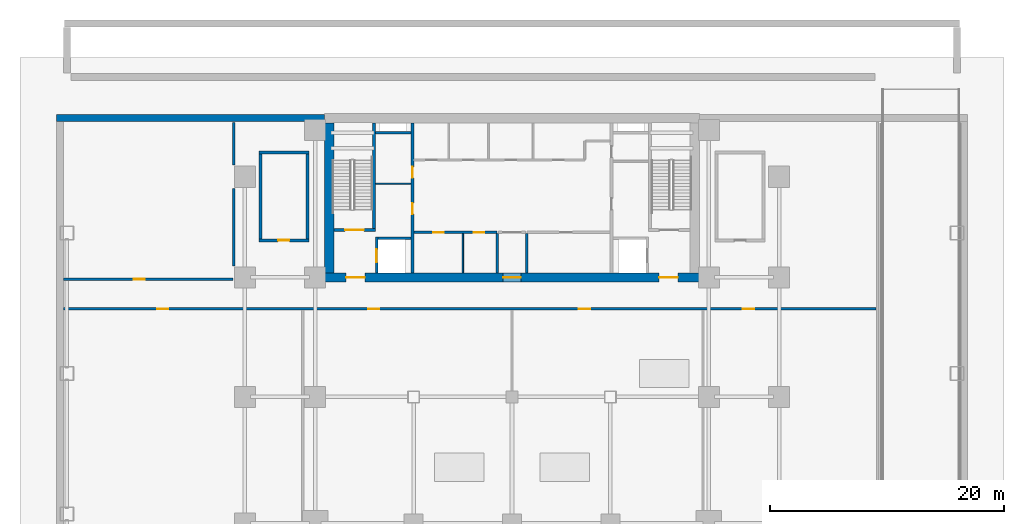
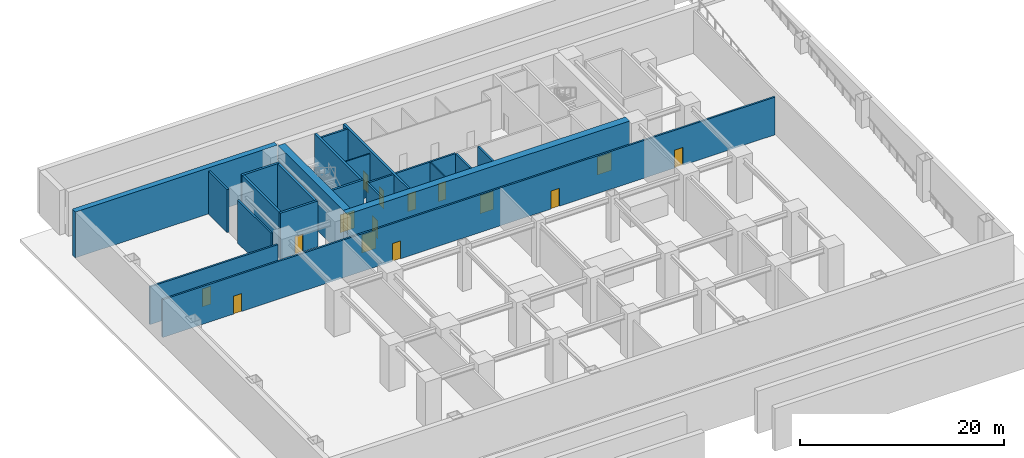
# One storey, part 3 of 8: 22 walls, 15 doors, 15 openings.
"""IFC4 building model written with IfcOpenShell, lengths in metres."""

from ifc_helpers import new_model, si_unit, direction, frame, frame_2d, origin, place, context, subcontext, project, spatial, rectangle, extrude, source, transform, mapped, material, layer, layer_set, type_object, element, fill, save


model = new_model("IFC4")

# Units and contexts
model_context = context("Model", 3, precision=1e-05, world=origin(), true_north=direction((0.0, 1.0)))
body_context = subcontext(model_context, "Body", "Model", "MODEL_VIEW")
ifc_project = project(units=[si_unit("LENGTHUNIT", "METRE"), si_unit("AREAUNIT", "SQUARE_METRE"), si_unit("VOLUMEUNIT", "CUBIC_METRE"), si_unit("PLANEANGLEUNIT", "RADIAN"), si_unit("MASSUNIT", "GRAM", prefix="KILO")], contexts=[model_context])

# Site, building, storey
site_placement = place(None, origin())
site = spatial("IfcSite", under=ifc_project, at=site_placement, CompositionType="ELEMENT")
building_placement = place(site_placement, origin())
building = spatial("IfcBuilding", under=site, at=building_placement, Name="Sumidabori Civic Tower", CompositionType="ELEMENT")
storey_placement = place(building_placement, frame((0.0, 0.0, -5.5)))
storey = spatial("IfcBuildingStorey", under=building, at=storey_placement, Name="B1", CompositionType="ELEMENT", Elevation=-5.5)

# Wall
ifc_material_1 = material(Name="Concrete C50/60", Category="concrete")
ifc_layer_1 = layer(ifc_material_1, 0.60009765625, Name="Concrete C50/60")
ifc_layer_set_1 = layer_set([ifc_layer_1], Name="Concrete C50/60")
wall_type_1 = type_object("IfcWallType", Name="WL-RET-600", PredefinedType="SHEAR", material=ifc_layer_set_1)
shared_shape_1 = source(origin(), body_context, "Body", "SweptSolid", [
    extrude(rectangle(XDim=22.89990234375, YDim=0.60009765625, at=frame_2d((11.449951171875, 0.0))), origin(), (0.0, 0.0, 1.0), 5.5),
])
wall_1_placement = place(storey_placement, frame((-38.89990234375, 23.800048828125, 0.0), z_axis=(0.0, 0.0, 1.0), x_axis=(1.0, 0.0, 0.0)))
element("IfcWall", 1, at=wall_1_placement, inside=storey, type_object=wall_type_1, Name="Basement Retaining Wall B1 NW", PredefinedType="SHEAR", context=body_context, shape_type="MappedRepresentation", body=[
    mapped(shared_shape_1, transform((0.0, 0.0, 0.0), x_axis=(1.0, 0.0, 0.0), y_axis=(0.0, 1.0, 0.0), z_axis=(0.0, 0.0, 1.0), scale=1.0)),
])

# Wall, openings, doors
ifc_material_2 = material(Name="Concrete C60/75", Category="concrete")
ifc_layer_2 = layer(ifc_material_2, 0.800048828125, Name="Concrete C60/75")
ifc_layer_set_2 = layer_set([ifc_layer_2], Name="Concrete C60/75")
wall_type_2 = type_object("IfcWallType", Name="WL-CORE-800", PredefinedType="SHEAR", material=ifc_layer_set_2)
shared_shape_2 = source(origin(), body_context, "Body", "SweptSolid", [
    extrude(rectangle(XDim=32.0, YDim=0.800048828125, at=frame_2d((16.0, 0.0))), origin(), (0.0, 0.0, 1.0), 5.5),
])
wall_2_placement = place(storey_placement, frame((-16.0, 10.199951171875, 0.0), z_axis=(0.0, 0.0, 1.0), x_axis=(1.0, 0.0, 0.0)))
wall_2 = element("IfcWall", 2, at=wall_2_placement, inside=storey, type_object=wall_type_2, Name="Core Shear Wall B1 S", PredefinedType="SHEAR", context=body_context, shape_type="MappedRepresentation", body=[
    mapped(shared_shape_2, transform((0.0, 0.0, 0.0), x_axis=(1.0, 0.0, 0.0), y_axis=(0.0, 1.0, 0.0), z_axis=(0.0, 0.0, 1.0), scale=1.0)),
])
opening_1_placement = place(wall_2_placement, frame((1.85009765625, 0.0, 0.0)))
opening_1 = element("IfcOpeningElement", 3, at=opening_1_placement, cuts=wall_2, Name="Opening DR-FD4", PredefinedType="OPENING", context=body_context, shape_type="SweptSolid", body=[
    extrude(rectangle(XDim=1.60009765625, YDim=2.14990234375, at=frame_2d((0.800048828125, 1.074951171875))), frame((0.0, 0.412109375, 0.0), z_axis=(0.0, -1.0, 0.0), x_axis=(1.0, 0.0, 0.0)), (0.0, 0.0, 1.0), 0.823974609375),
])
opening_2_placement = place(wall_2_placement, frame((28.550048828125, 0.0, 0.0)))
opening_2 = element("IfcOpeningElement", 4, at=opening_2_placement, cuts=wall_2, Name="Opening DR-FD4", PredefinedType="OPENING", context=body_context, shape_type="SweptSolid", body=[
    extrude(rectangle(XDim=1.60009765625, YDim=2.14990234375, at=frame_2d((0.800048828125, 1.074951171875))), frame((0.0, 0.412109375, 0.0), z_axis=(0.0, -1.0, 0.0), x_axis=(1.0, 0.0, 0.0)), (0.0, 0.0, 1.0), 0.823974609375),
])
opening_3_placement = place(wall_2_placement, frame((15.25, 0.0, 0.0)))
opening_3 = element("IfcOpeningElement", 5, at=opening_3_placement, cuts=wall_2, Name="Opening DR-FD3", PredefinedType="OPENING", context=body_context, shape_type="SweptSolid", body=[
    extrude(rectangle(XDim=1.5, YDim=2.199951171875, at=frame_2d((0.75, 1.10009765625))), frame((0.0, 0.412109375, 0.0), z_axis=(0.0, -1.0, 0.0), x_axis=(1.0, 0.0, 0.0)), (0.0, 0.0, 1.0), 0.823974609375),
])
ifc_material_3 = material(Name="Steel SN490", Category="steel")
door_type_1 = type_object("IfcDoorType", Name="DR-FD4", OperationType="DOUBLE_DOOR_SINGLE_SWING", PredefinedType="DOOR", material=ifc_material_3)
shared_shape_3 = source(origin(), body_context, "Body", "SweptSolid", [
    extrude(rectangle(XDim=1.60009765625, YDim=2.14990234375, at=frame_2d((0.800048828125, 1.074951171875))), frame((0.0, 0.02490234375, 0.0), z_axis=(0.0, -1.0, 0.0), x_axis=(1.0, 0.0, 0.0)), (0.0, 0.0, 1.0), 0.050048828125),
])
door_1_placement = place(opening_1_placement, origin())
door_1 = element("IfcDoor", 6, at=door_1_placement, inside=storey, type_object=door_type_1, Name="Door DR:B1:ELOB-W", OperationType="DOUBLE_DOOR_SINGLE_SWING", OverallHeight=2.14990234375, OverallWidth=1.60009765625, PredefinedType="DOOR", context=body_context, shape_type="MappedRepresentation", body=[
    mapped(shared_shape_3, transform((0.0, 0.0, 0.0), x_axis=(1.0, 0.0, 0.0), y_axis=(0.0, 1.0, 0.0), z_axis=(0.0, 0.0, 1.0), scale=1.0)),
])
fill(opening_1, door_1)
door_2_placement = place(opening_2_placement, origin())
door_2 = element("IfcDoor", 7, at=door_2_placement, inside=storey, type_object=door_type_1, Name="Door DR:B1:ELOB-E", OperationType="DOUBLE_DOOR_SINGLE_SWING", OverallHeight=2.14990234375, OverallWidth=1.60009765625, PredefinedType="DOOR", context=body_context, shape_type="MappedRepresentation", body=[
    mapped(shared_shape_3, transform((0.0, 0.0, 0.0), x_axis=(1.0, 0.0, 0.0), y_axis=(0.0, 1.0, 0.0), z_axis=(0.0, 0.0, 1.0), scale=1.0)),
])
fill(opening_2, door_2)
door_type_2 = type_object("IfcDoorType", Name="DR-FD-DBL", OperationType="DOUBLE_DOOR_SINGLE_SWING", PredefinedType="DOOR", material=ifc_material_3)
shared_shape_4 = source(origin(), body_context, "Body", "SweptSolid", [
    extrude(rectangle(XDim=1.5, YDim=2.199951171875, at=frame_2d((0.75, 1.10009765625))), frame((0.0, 0.02490234375, 0.0), z_axis=(0.0, -1.0, 0.0), x_axis=(1.0, 0.0, 0.0)), (0.0, 0.0, 1.0), 0.050048828125),
])
door_3_placement = place(opening_3_placement, origin())
door_3 = element("IfcDoor", 8, at=door_3_placement, inside=storey, type_object=door_type_2, Name="Door DR:B1:THROAT-OUT", OperationType="DOUBLE_DOOR_SINGLE_SWING", OverallHeight=2.199951171875, OverallWidth=1.5, PredefinedType="DOOR", context=body_context, shape_type="MappedRepresentation", body=[
    mapped(shared_shape_4, transform((0.0, 0.0, 0.0), x_axis=(1.0, 0.0, 0.0), y_axis=(0.0, 1.0, 0.0), z_axis=(0.0, 0.0, 1.0), scale=1.0)),
])
fill(opening_3, door_3)

# Wall
shared_shape_5 = source(origin(), body_context, "Body", "SweptSolid", [
    extrude(rectangle(XDim=12.7998046875, YDim=0.800048828125, at=frame_2d((6.39990234375, 0.0))), origin(), (0.0, 0.0, 1.0), 5.5),
])
wall_3_placement = place(storey_placement, frame((-15.60009765625, 10.60009765625, 0.0), z_axis=(0.0, 0.0, 1.0), x_axis=(0.0, 1.0, 0.0)))
element("IfcWall", 9, at=wall_3_placement, inside=storey, type_object=wall_type_2, Name="Core Shear Wall B1 W", PredefinedType="SHEAR", context=body_context, shape_type="MappedRepresentation", body=[
    mapped(shared_shape_5, transform((0.0, 0.0, 0.0), x_axis=(1.0, 0.0, 0.0), y_axis=(0.0, 1.0, 0.0), z_axis=(0.0, 0.0, 1.0), scale=1.0)),
])

# Wall, openings, doors
ifc_layer_3 = layer(ifc_material_1, 0.25, Name="Concrete C50/60")
ifc_layer_set_3 = layer_set([ifc_layer_3], Name="Concrete C50/60")
wall_type_3 = type_object("IfcWallType", Name="WL-SHAFT-250", PredefinedType="SHEAR", material=ifc_layer_set_3)
shared_shape_6 = source(origin(), body_context, "Body", "SweptSolid", [
    extrude(rectangle(XDim=12.7998046875, YDim=0.25, at=frame_2d((6.39990234375, 0.0))), origin(), (0.0, 0.0, 1.0), 5.5),
])
wall_4_placement = place(storey_placement, frame((-8.5, 10.60009765625, 0.0), z_axis=(0.0, 0.0, 1.0), x_axis=(0.0, 1.0, 0.0)))
wall_4 = element("IfcWall", 10, at=wall_4_placement, inside=storey, type_object=wall_type_3, Name="Core Shear Wall B1 WEB-W", PredefinedType="SHEAR", context=body_context, shape_type="MappedRepresentation", body=[
    mapped(shared_shape_6, transform((0.0, 0.0, 0.0), x_axis=(1.0, 0.0, 0.0), y_axis=(0.0, 1.0, 0.0), z_axis=(0.0, 0.0, 1.0), scale=1.0)),
])
opening_4_placement = place(wall_4_placement, frame((5.0, 0.0, 0.0)))
opening_4 = element("IfcOpeningElement", 11, at=opening_4_placement, cuts=wall_4, Name="Opening DR-FD2", PredefinedType="OPENING", context=body_context, shape_type="SweptSolid", body=[
    extrude(rectangle(XDim=0.949951171875, YDim=2.14990234375, at=frame_2d((0.47509765625, 1.074951171875))), frame((0.0, 0.136962890625, 0.0), z_axis=(0.0, -1.0, 0.0), x_axis=(1.0, 0.0, 0.0)), (0.0, 0.0, 1.0), 0.27392578125),
])
opening_5_placement = place(wall_4_placement, frame((8.10009765625, 0.0, 0.0)))
opening_5 = element("IfcOpeningElement", 12, at=opening_5_placement, cuts=wall_4, Name="Opening DR-FD2", PredefinedType="OPENING", context=body_context, shape_type="SweptSolid", body=[
    extrude(rectangle(XDim=0.949951171875, YDim=2.14990234375, at=frame_2d((0.47509765625, 1.074951171875))), frame((0.0, 0.136962890625, 0.0), z_axis=(0.0, -1.0, 0.0), x_axis=(1.0, 0.0, 0.0)), (0.0, 0.0, 1.0), 0.27392578125),
])
door_type_3 = type_object("IfcDoorType", Name="DR-FD2", OperationType="NOTDEFINED", PredefinedType="DOOR", material=ifc_material_3)
shared_shape_7 = source(origin(), body_context, "Body", "SweptSolid", [
    extrude(rectangle(XDim=0.949951171875, YDim=2.14990234375, at=frame_2d((0.47509765625, 1.074951171875))), frame((0.0, 0.02490234375, 0.0), z_axis=(0.0, -1.0, 0.0), x_axis=(1.0, 0.0, 0.0)), (0.0, 0.0, 1.0), 0.050048828125),
])
door_4_placement = place(opening_4_placement, origin())
door_4 = element("IfcDoor", 13, at=door_4_placement, inside=storey, type_object=door_type_3, Name="Door DR:B1:CW-S1", OperationType="SINGLE_SWING_LEFT", OverallHeight=2.14990234375, OverallWidth=0.949951171875, PredefinedType="DOOR", context=body_context, shape_type="MappedRepresentation", body=[
    mapped(shared_shape_7, transform((0.0, 0.0, 0.0), x_axis=(1.0, 0.0, 0.0), y_axis=(0.0, 1.0, 0.0), z_axis=(0.0, 0.0, 1.0), scale=1.0)),
])
fill(opening_4, door_4)
door_5_placement = place(opening_5_placement, origin())
door_5 = element("IfcDoor", 14, at=door_5_placement, inside=storey, type_object=door_type_3, Name="Door DR:B1:CW-S2", OperationType="SINGLE_SWING_RIGHT", OverallHeight=2.14990234375, OverallWidth=0.949951171875, PredefinedType="DOOR", context=body_context, shape_type="MappedRepresentation", body=[
    mapped(shared_shape_7, transform((0.0, 0.0, 0.0), x_axis=(1.0, 0.0, 0.0), y_axis=(0.0, 1.0, 0.0), z_axis=(0.0, 0.0, 1.0), scale=1.0)),
])
fill(opening_5, door_5)

# Wall, opening, door
shared_shape_8 = source(origin(), body_context, "Body", "SweptSolid", [
    extrude(rectangle(XDim=3.554931640625, YDim=0.25, at=frame_2d((1.77734375, 0.0))), origin(), (0.0, 0.0, 1.0), 5.5),
])
wall_5_placement = place(storey_placement, frame((-15.199951171875, 14.25, 0.0), z_axis=(0.0, 0.0, 1.0), x_axis=(1.0, 0.0, 0.0)))
wall_5 = element("IfcWall", 15, at=wall_5_placement, inside=storey, type_object=wall_type_3, Name="Core Shear Wall B1 ST1-S", PredefinedType="SHEAR", context=body_context, shape_type="MappedRepresentation", body=[
    mapped(shared_shape_8, transform((0.0, 0.0, 0.0), x_axis=(1.0, 0.0, 0.0), y_axis=(0.0, 1.0, 0.0), z_axis=(0.0, 0.0, 1.0), scale=1.0)),
])
opening_6_placement = place(wall_5_placement, frame((0.949951171875, 0.0, 0.0)))
opening_6 = element("IfcOpeningElement", 16, at=opening_6_placement, cuts=wall_5, Name="Opening DR-FD4", PredefinedType="OPENING", context=body_context, shape_type="SweptSolid", body=[
    extrude(rectangle(XDim=1.60009765625, YDim=2.14990234375, at=frame_2d((0.800048828125, 1.074951171875))), frame((0.0, 0.136962890625, 0.0), z_axis=(0.0, -1.0, 0.0), x_axis=(1.0, 0.0, 0.0)), (0.0, 0.0, 1.0), 0.27392578125),
])
door_6_placement = place(opening_6_placement, origin())
door_6 = element("IfcDoor", 17, at=door_6_placement, inside=storey, type_object=door_type_1, Name="Door DR:B1:ST1", OperationType="DOUBLE_DOOR_SINGLE_SWING", OverallHeight=2.14990234375, OverallWidth=1.60009765625, PredefinedType="DOOR", context=body_context, shape_type="MappedRepresentation", body=[
    mapped(shared_shape_3, transform((0.0, 0.0, 0.0), x_axis=(1.0, 0.0, 0.0), y_axis=(0.0, 1.0, 0.0), z_axis=(0.0, 0.0, 1.0), scale=1.0)),
])
fill(opening_6, door_6)

# Wall
shared_shape_9 = source(origin(), body_context, "Body", "SweptSolid", [
    extrude(rectangle(XDim=9.02490234375, YDim=0.25, at=frame_2d((4.512451171875, 0.0))), origin(), (0.0, 0.0, 1.0), 5.5),
])
wall_6_placement = place(storey_placement, frame((-11.77001953125, 14.375, 0.0), z_axis=(0.0, 0.0, 1.0), x_axis=(0.0, 1.0, 0.0)))
element("IfcWall", 18, at=wall_6_placement, inside=storey, type_object=wall_type_3, Name="Core Shear Wall B1 ST1-E", PredefinedType="SHEAR", context=body_context, shape_type="MappedRepresentation", body=[
    mapped(shared_shape_9, transform((0.0, 0.0, 0.0), x_axis=(1.0, 0.0, 0.0), y_axis=(0.0, 1.0, 0.0), z_axis=(0.0, 0.0, 1.0), scale=1.0)),
])

# Wall, opening, door
ifc_layer_4 = layer(ifc_material_1, 0.199951171875, Name="Concrete C50/60")
ifc_layer_set_4 = layer_set([ifc_layer_4], Name="Concrete C50/60")
wall_type_4 = type_object("IfcWallType", Name="WL-SHAFT-200", PredefinedType="SHEAR", material=ifc_layer_set_4)
shared_shape_10 = source(origin(), body_context, "Body", "SweptSolid", [
    extrude(rectangle(XDim=3.0498046875, YDim=0.199951171875, at=frame_2d((1.52490234375, 0.0))), origin(), (0.0, 0.0, 1.0), 5.5),
])
wall_7_placement = place(storey_placement, frame((-11.550048828125, 10.60009765625, 0.0), z_axis=(0.0, 0.0, 1.0), x_axis=(0.0, 1.0, 0.0)))
wall_7 = element("IfcWall", 19, at=wall_7_placement, inside=storey, type_object=wall_type_4, Name="Core Shear Wall B1 EL1-W", PredefinedType="SHEAR", context=body_context, shape_type="MappedRepresentation", body=[
    mapped(shared_shape_10, transform((0.0, 0.0, 0.0), x_axis=(1.0, 0.0, 0.0), y_axis=(0.0, 1.0, 0.0), z_axis=(0.0, 0.0, 1.0), scale=1.0)),
])
opening_7_placement = place(wall_7_placement, frame((0.89990234375, 0.0, 0.0)))
opening_7 = element("IfcOpeningElement", 20, at=opening_7_placement, cuts=wall_7, Name="Opening LD-2", PredefinedType="OPENING", context=body_context, shape_type="SweptSolid", body=[
    extrude(rectangle(XDim=1.10009765625, YDim=2.14990234375, at=frame_2d((0.550048828125, 1.074951171875))), frame((0.0, 0.11181640625, 0.0), z_axis=(0.0, -1.0, 0.0), x_axis=(1.0, 0.0, 0.0)), (0.0, 0.0, 1.0), 0.223876953125),
])
ifc_material_4 = material(Name="Stainless Steel Hairline Finish", Category="steel")
door_type_4 = type_object("IfcDoorType", Name="DR-LD2", OperationType="DOUBLE_DOOR_SLIDING", PredefinedType="DOOR", material=ifc_material_4)
shared_shape_11 = source(origin(), body_context, "Body", "SweptSolid", [
    extrude(rectangle(XDim=1.10009765625, YDim=2.14990234375, at=frame_2d((0.550048828125, 1.074951171875))), frame((0.0, 0.02490234375, 0.0), z_axis=(0.0, -1.0, 0.0), x_axis=(1.0, 0.0, 0.0)), (0.0, 0.0, 1.0), 0.050048828125),
])
door_7_placement = place(opening_7_placement, origin())
door_7 = element("IfcDoor", 21, at=door_7_placement, inside=storey, type_object=door_type_4, Name="Door DR:B1:LD-EL1", OperationType="DOUBLE_DOOR_SLIDING", OverallHeight=2.14990234375, OverallWidth=1.10009765625, PredefinedType="DOOR", context=body_context, shape_type="MappedRepresentation", body=[
    mapped(shared_shape_11, transform((0.0, 0.0, 0.0), x_axis=(1.0, 0.0, 0.0), y_axis=(0.0, 1.0, 0.0), z_axis=(0.0, 0.0, 1.0), scale=1.0)),
])
fill(opening_7, door_7)

# Walls
shared_shape_12 = source(origin(), body_context, "Body", "SweptSolid", [
    extrude(rectangle(XDim=2.824951171875, YDim=0.199951171875, at=frame_2d((1.41259765625, 0.0))), origin(), (0.0, 0.0, 1.0), 5.5),
])
wall_8_placement = place(storey_placement, frame((-11.449951171875, 13.550048828125, 0.0), z_axis=(0.0, 0.0, 1.0), x_axis=(1.0, 0.0, 0.0)))
element("IfcWall", 22, at=wall_8_placement, inside=storey, type_object=wall_type_4, Name="Core Shear Wall B1 EL1-N", PredefinedType="SHEAR", context=body_context, shape_type="MappedRepresentation", body=[
    mapped(shared_shape_12, transform((0.0, 0.0, 0.0), x_axis=(1.0, 0.0, 0.0), y_axis=(0.0, 1.0, 0.0), z_axis=(0.0, 0.0, 1.0), scale=1.0)),
])
shared_shape_13 = source(origin(), body_context, "Body", "SweptSolid", [
    extrude(rectangle(XDim=3.02001953125, YDim=0.199951171875, at=frame_2d((1.510009765625, 0.0))), origin(), (0.0, 0.0, 1.0), 5.5),
])
wall_9_placement = place(storey_placement, frame((-11.64501953125, 22.550048828125, 0.0), z_axis=(0.0, 0.0, 1.0), x_axis=(1.0, 0.0, 0.0)))
element("IfcWall", 23, at=wall_9_placement, inside=storey, type_object=wall_type_4, Name="Core Shear Wall B1 RIS1-S", PredefinedType="SHEAR", context=body_context, shape_type="MappedRepresentation", body=[
    mapped(shared_shape_13, transform((0.0, 0.0, 0.0), x_axis=(1.0, 0.0, 0.0), y_axis=(0.0, 1.0, 0.0), z_axis=(0.0, 0.0, 1.0), scale=1.0)),
])
shared_shape_14 = source(origin(), body_context, "Body", "SweptSolid", [
    extrude(rectangle(XDim=4.260009765625, YDim=0.25, at=frame_2d((2.1298828125, 0.0))), origin(), (0.0, 0.0, 1.0), 5.5),
])
wall_10_placement = place(storey_placement, frame((-21.610107421875, 20.864990234375, 0.0), z_axis=(0.0, 0.0, 1.0), x_axis=(1.0, 0.0, 0.0)))
element("IfcWall", 24, at=wall_10_placement, inside=storey, type_object=wall_type_3, Name="Core Shear Wall B1 ST3-N", PredefinedType="SHEAR", context=body_context, shape_type="MappedRepresentation", body=[
    mapped(shared_shape_14, transform((0.0, 0.0, 0.0), x_axis=(1.0, 0.0, 0.0), y_axis=(0.0, 1.0, 0.0), z_axis=(0.0, 0.0, 1.0), scale=1.0)),
])

# Wall, opening, door
wall_11_placement = place(storey_placement, frame((-21.610107421875, 13.375, 0.0), z_axis=(0.0, 0.0, 1.0), x_axis=(1.0, 0.0, 0.0)))
wall_11 = element("IfcWall", 25, at=wall_11_placement, inside=storey, type_object=wall_type_3, Name="Core Shear Wall B1 ST3-S", PredefinedType="SHEAR", context=body_context, shape_type="MappedRepresentation", body=[
    mapped(shared_shape_14, transform((0.0, 0.0, 0.0), x_axis=(1.0, 0.0, 0.0), y_axis=(0.0, 1.0, 0.0), z_axis=(0.0, 0.0, 1.0), scale=1.0)),
])
opening_8_placement = place(wall_11_placement, frame((1.64990234375, 0.0, 0.0)))
opening_8 = element("IfcOpeningElement", 26, at=opening_8_placement, cuts=wall_11, Name="Opening DR-FD2", PredefinedType="OPENING", context=body_context, shape_type="SweptSolid", body=[
    extrude(rectangle(XDim=0.949951171875, YDim=2.14990234375, at=frame_2d((0.47509765625, 1.074951171875))), frame((0.0, 0.136962890625, 0.0), z_axis=(0.0, -1.0, 0.0), x_axis=(1.0, 0.0, 0.0)), (0.0, 0.0, 1.0), 0.27392578125),
])
door_8_placement = place(opening_8_placement, origin())
door_8 = element("IfcDoor", 27, at=door_8_placement, inside=storey, type_object=door_type_3, Name="Door DR:B1:FAN-ST3", OperationType="SINGLE_SWING_LEFT", OverallHeight=2.14990234375, OverallWidth=0.949951171875, PredefinedType="DOOR", context=body_context, shape_type="MappedRepresentation", body=[
    mapped(shared_shape_7, transform((0.0, 0.0, 0.0), x_axis=(1.0, 0.0, 0.0), y_axis=(0.0, 1.0, 0.0), z_axis=(0.0, 0.0, 1.0), scale=1.0)),
])
fill(opening_8, door_8)

# Walls
shared_shape_15 = source(origin(), body_context, "Body", "SweptSolid", [
    extrude(rectangle(XDim=7.230224609375, YDim=0.25, at=frame_2d((3.615234375, 0.0))), origin(), (0.0, 0.0, 1.0), 5.5),
])
for number, where, z_axis, x_axis, name in (
    (28, (-21.485107421875, 13.5048828125, 0.0), (0.0, 0.0, 1.0), (0.0, 1.0, 0.0), "Core Shear Wall B1 ST3-W"),
    (29, (-17.47509765625, 13.5048828125, 0.0), (0.0, 0.0, 1.0), (0.0, 1.0, 0.0), "Core Shear Wall B1 ST3-E"),
):
    element("IfcWall", number, at=place(storey_placement, frame(where, z_axis=z_axis, x_axis=x_axis)), inside=storey, type_object=wall_type_3, Name=name, PredefinedType="SHEAR", context=body_context, shape_type="MappedRepresentation", body=[
        mapped(shared_shape_15, transform((0.0, 0.0, 0.0), x_axis=(1.0, 0.0, 0.0), y_axis=(0.0, 1.0, 0.0), z_axis=(0.0, 0.0, 1.0), scale=1.0)),
    ])
ifc_material_5 = material(Name="Gypsum Plasterboard Acoustic Partition")
ifc_layer_5 = layer(ifc_material_5, 0.1201171875, Name="Gypsum Plasterboard Acoustic Partition")
ifc_layer_set_5 = layer_set([ifc_layer_5], Name="Gypsum Plasterboard Acoustic Partition")
wall_type_5 = type_object("IfcWallType", Name="WL-PART-120", PredefinedType="PARTITIONING", material=ifc_layer_set_5)
shared_shape_16 = source(origin(), body_context, "Body", "SweptSolid", [
    extrude(rectangle(XDim=3.010009765625, YDim=0.1201171875, at=frame_2d((1.5048828125, 0.0))), origin(), (0.0, 0.0, 1.0), 5.139892578125),
])
wall_12_placement = place(storey_placement, frame((-11.639892578125, 18.199951171875, 0.0), z_axis=(0.0, 0.0, 1.0), x_axis=(1.0, 0.0, 0.0)))
element("IfcWall", 30, at=wall_12_placement, inside=storey, type_object=wall_type_5, Name="Interior Partition WL:B1:CW-MID", PredefinedType="PARTITIONING", context=body_context, shape_type="MappedRepresentation", body=[
    mapped(shared_shape_16, transform((0.0, 0.0, 0.0), x_axis=(1.0, 0.0, 0.0), y_axis=(0.0, 1.0, 0.0), z_axis=(0.0, 0.0, 1.0), scale=1.0)),
])

# Wall, openings, doors
ifc_material_6 = material(Name="Gypsum Plasterboard Fire Partition")
ifc_layer_6 = layer(ifc_material_6, 0.199951171875, Name="Gypsum Plasterboard Fire Partition")
ifc_layer_set_6 = layer_set([ifc_layer_6], Name="Gypsum Plasterboard Fire Partition")
wall_type_6 = type_object("IfcWallType", Name="WL-PART-FIRE", PredefinedType="PARTITIONING", material=ifc_layer_set_6)
shared_shape_17 = source(origin(), body_context, "Body", "SweptSolid", [
    extrude(rectangle(XDim=7.070068359375, YDim=0.199951171875, at=frame_2d((3.53515625, 0.0))), origin(), (0.0, 0.0, 1.0), 5.139892578125),
])
wall_13_placement = place(storey_placement, frame((-8.3701171875, 14.050048828125, 0.0), z_axis=(0.0, 0.0, 1.0), x_axis=(1.0, 0.0, 0.0)))
wall_13 = element("IfcWall", 31, at=wall_13_placement, inside=storey, type_object=wall_type_6, Name="Interior Partition WL:B1:CBAND-SW", PredefinedType="PARTITIONING", context=body_context, shape_type="MappedRepresentation", body=[
    mapped(shared_shape_17, transform((0.0, 0.0, 0.0), x_axis=(1.0, 0.0, 0.0), y_axis=(0.0, 1.0, 0.0), z_axis=(0.0, 0.0, 1.0), scale=1.0)),
])
opening_9_placement = place(wall_13_placement, frame((1.659912109375, 0.0, 0.0)))
opening_9 = element("IfcOpeningElement", 32, at=opening_9_placement, cuts=wall_13, Name="Opening DR-1", PredefinedType="OPENING", context=body_context, shape_type="SweptSolid", body=[
    extrude(rectangle(XDim=0.89990234375, YDim=2.14990234375, at=frame_2d((0.449951171875, 1.074951171875))), frame((0.0, 0.11181640625, 0.0), z_axis=(0.0, -1.0, 0.0), x_axis=(1.0, 0.0, 0.0)), (0.0, 0.0, 1.0), 0.223876953125),
])
opening_10_placement = place(wall_13_placement, frame((5.110107421875, 0.0, 0.0)))
opening_10 = element("IfcOpeningElement", 33, at=opening_10_placement, cuts=wall_13, Name="Opening DR-1", PredefinedType="OPENING", context=body_context, shape_type="SweptSolid", body=[
    extrude(rectangle(XDim=0.89990234375, YDim=2.14990234375, at=frame_2d((0.449951171875, 1.074951171875))), frame((0.0, 0.11181640625, 0.0), z_axis=(0.0, -1.0, 0.0), x_axis=(1.0, 0.0, 0.0)), (0.0, 0.0, 1.0), 0.223876953125),
])
ifc_material_7 = material(Name="Japanese Hinoki Timber", Category="wood")
door_type_5 = type_object("IfcDoorType", Name="DR-INT-900", OperationType="NOTDEFINED", PredefinedType="DOOR", material=ifc_material_7)
shared_shape_18 = source(origin(), body_context, "Body", "SweptSolid", [
    extrude(rectangle(XDim=0.89990234375, YDim=2.14990234375, at=frame_2d((0.449951171875, 1.074951171875))), frame((0.0, 0.02490234375, 0.0), z_axis=(0.0, -1.0, 0.0), x_axis=(1.0, 0.0, 0.0)), (0.0, 0.0, 1.0), 0.050048828125),
])
door_9_placement = place(opening_9_placement, origin())
door_9 = element("IfcDoor", 34, at=door_9_placement, inside=storey, type_object=door_type_5, Name="Door DR:B1:REC-B1A", OperationType="SINGLE_SWING_LEFT", OverallHeight=2.14990234375, OverallWidth=0.89990234375, PredefinedType="DOOR", context=body_context, shape_type="MappedRepresentation", body=[
    mapped(shared_shape_18, transform((0.0, 0.0, 0.0), x_axis=(1.0, 0.0, 0.0), y_axis=(0.0, 1.0, 0.0), z_axis=(0.0, 0.0, 1.0), scale=1.0)),
])
fill(opening_9, door_9)
door_10_placement = place(opening_10_placement, origin())
door_10 = element("IfcDoor", 35, at=door_10_placement, inside=storey, type_object=door_type_5, Name="Door DR:B1:REC-B1B", OperationType="SINGLE_SWING_RIGHT", OverallHeight=2.14990234375, OverallWidth=0.89990234375, PredefinedType="DOOR", context=body_context, shape_type="MappedRepresentation", body=[
    mapped(shared_shape_18, transform((0.0, 0.0, 0.0), x_axis=(1.0, 0.0, 0.0), y_axis=(0.0, 1.0, 0.0), z_axis=(0.0, 0.0, 1.0), scale=1.0)),
])
fill(opening_10, door_10)

# Walls
shared_shape_19 = source(origin(), body_context, "Body", "SweptSolid", [
    extrude(rectangle(XDim=3.33984375, YDim=0.199951171875, at=frame_2d((1.669921875, 0.0))), origin(), (0.0, 0.0, 1.0), 5.139892578125),
])
for number, where, z_axis, x_axis, name in (
    (36, (-1.25, 10.60009765625, 0.0), (0.0, 0.0, 1.0), (0.0, 1.0, 0.0), "Interior Partition WL:B1:THROAT-W"),
    (37, (1.25, 10.60009765625, 0.0), (0.0, 0.0, 1.0), (0.0, 1.0, 0.0), "Interior Partition WL:B1:THROAT-E"),
):
    element("IfcWall", number, at=place(storey_placement, frame(where, z_axis=z_axis, x_axis=x_axis)), inside=storey, type_object=wall_type_6, Name=name, PredefinedType="PARTITIONING", context=body_context, shape_type="MappedRepresentation", body=[
        mapped(shared_shape_19, transform((0.0, 0.0, 0.0), x_axis=(1.0, 0.0, 0.0), y_axis=(0.0, 1.0, 0.0), z_axis=(0.0, 0.0, 1.0), scale=1.0)),
    ])
shared_shape_20 = source(origin(), body_context, "Body", "SweptSolid", [
    extrude(rectangle(XDim=3.33984375, YDim=0.1201171875, at=frame_2d((1.669921875, 0.0))), origin(), (0.0, 0.0, 1.0), 5.139892578125),
])
wall_14_placement = place(storey_placement, frame((-4.199951171875, 10.60009765625, 0.0), z_axis=(0.0, 0.0, 1.0), x_axis=(0.0, 1.0, 0.0)))
element("IfcWall", 38, at=wall_14_placement, inside=storey, type_object=wall_type_5, Name="Interior Partition WL:B1:REC-B1-SP", PredefinedType="PARTITIONING", context=body_context, shape_type="MappedRepresentation", body=[
    mapped(shared_shape_20, transform((0.0, 0.0, 0.0), x_axis=(1.0, 0.0, 0.0), y_axis=(0.0, 1.0, 0.0), z_axis=(0.0, 0.0, 1.0), scale=1.0)),
])

# Wall, openings, doors
shared_shape_21 = source(origin(), body_context, "Body", "SweptSolid", [
    extrude(rectangle(XDim=69.380126953125, YDim=0.199951171875, at=frame_2d((34.68994140625, 0.0))), origin(), (0.0, 0.0, 1.0), 4.52490234375),
])
wall_15_placement = place(storey_placement, frame((-38.2900390625, 7.52001953125, 0.0), z_axis=(0.0, 0.0, 1.0), x_axis=(1.0, 0.0, 0.0)))
wall_15 = element("IfcWall", 39, at=wall_15_placement, inside=storey, type_object=wall_type_6, Name="Interior Partition WL:B1:CORR-S", PredefinedType="PARTITIONING", context=body_context, shape_type="MappedRepresentation", body=[
    mapped(shared_shape_21, transform((0.0, 0.0, 0.0), x_axis=(1.0, 0.0, 0.0), y_axis=(0.0, 1.0, 0.0), z_axis=(0.0, 0.0, 1.0), scale=1.0)),
])
opening_11_placement = place(wall_15_placement, frame((8.0, 0.0, 0.0)))
opening_11 = element("IfcOpeningElement", 40, at=opening_11_placement, cuts=wall_15, Name="Opening DR-FD2", PredefinedType="OPENING", context=body_context, shape_type="SweptSolid", body=[
    extrude(rectangle(XDim=0.949951171875, YDim=2.14990234375, at=frame_2d((0.47509765625, 1.074951171875))), frame((0.0, 0.11181640625, 0.0), z_axis=(0.0, -1.0, 0.0), x_axis=(1.0, 0.0, 0.0)), (0.0, 0.0, 1.0), 0.223876953125),
])
opening_12_placement = place(wall_15_placement, frame((26.0, 0.0, 0.0)))
opening_12 = element("IfcOpeningElement", 41, at=opening_12_placement, cuts=wall_15, Name="Opening DR-FD2", PredefinedType="OPENING", context=body_context, shape_type="SweptSolid", body=[
    extrude(rectangle(XDim=0.949951171875, YDim=2.14990234375, at=frame_2d((0.47509765625, 1.074951171875))), frame((0.0, 0.11181640625, 0.0), z_axis=(0.0, -1.0, 0.0), x_axis=(1.0, 0.0, 0.0)), (0.0, 0.0, 1.0), 0.223876953125),
])
opening_13_placement = place(wall_15_placement, frame((44.0, 0.0, 0.0)))
opening_13 = element("IfcOpeningElement", 42, at=opening_13_placement, cuts=wall_15, Name="Opening DR-FD2", PredefinedType="OPENING", context=body_context, shape_type="SweptSolid", body=[
    extrude(rectangle(XDim=0.949951171875, YDim=2.14990234375, at=frame_2d((0.47509765625, 1.074951171875))), frame((0.0, 0.11181640625, 0.0), z_axis=(0.0, -1.0, 0.0), x_axis=(1.0, 0.0, 0.0)), (0.0, 0.0, 1.0), 0.223876953125),
])
opening_14_placement = place(wall_15_placement, frame((58.0, 0.0, 0.0)))
opening_14 = element("IfcOpeningElement", 43, at=opening_14_placement, cuts=wall_15, Name="Opening DR-FD2", PredefinedType="OPENING", context=body_context, shape_type="SweptSolid", body=[
    extrude(rectangle(XDim=0.949951171875, YDim=2.14990234375, at=frame_2d((0.47509765625, 1.074951171875))), frame((0.0, 0.11181640625, 0.0), z_axis=(0.0, -1.0, 0.0), x_axis=(1.0, 0.0, 0.0)), (0.0, 0.0, 1.0), 0.223876953125),
])
door_11_placement = place(opening_11_placement, origin())
door_11 = element("IfcDoor", 44, at=door_11_placement, inside=storey, type_object=door_type_3, Name="Door DR:B1:PL-1", OperationType="SINGLE_SWING_LEFT", OverallHeight=2.14990234375, OverallWidth=0.949951171875, PredefinedType="DOOR", context=body_context, shape_type="MappedRepresentation", body=[
    mapped(shared_shape_7, transform((0.0, 0.0, 0.0), x_axis=(1.0, 0.0, 0.0), y_axis=(0.0, 1.0, 0.0), z_axis=(0.0, 0.0, 1.0), scale=1.0)),
])
fill(opening_11, door_11)
door_12_placement = place(opening_12_placement, origin())
door_12 = element("IfcDoor", 45, at=door_12_placement, inside=storey, type_object=door_type_3, Name="Door DR:B1:PL-2", OperationType="SINGLE_SWING_RIGHT", OverallHeight=2.14990234375, OverallWidth=0.949951171875, PredefinedType="DOOR", context=body_context, shape_type="MappedRepresentation", body=[
    mapped(shared_shape_7, transform((0.0, 0.0, 0.0), x_axis=(1.0, 0.0, 0.0), y_axis=(0.0, 1.0, 0.0), z_axis=(0.0, 0.0, 1.0), scale=1.0)),
])
fill(opening_12, door_12)
door_13_placement = place(opening_13_placement, origin())
door_13 = element("IfcDoor", 46, at=door_13_placement, inside=storey, type_object=door_type_3, Name="Door DR:B1:PL-3", OperationType="SINGLE_SWING_LEFT", OverallHeight=2.14990234375, OverallWidth=0.949951171875, PredefinedType="DOOR", context=body_context, shape_type="MappedRepresentation", body=[
    mapped(shared_shape_7, transform((0.0, 0.0, 0.0), x_axis=(1.0, 0.0, 0.0), y_axis=(0.0, 1.0, 0.0), z_axis=(0.0, 0.0, 1.0), scale=1.0)),
])
fill(opening_13, door_13)
door_14_placement = place(opening_14_placement, origin())
door_14 = element("IfcDoor", 47, at=door_14_placement, inside=storey, type_object=door_type_3, Name="Door DR:B1:PL-4", OperationType="SINGLE_SWING_RIGHT", OverallHeight=2.14990234375, OverallWidth=0.949951171875, PredefinedType="DOOR", context=body_context, shape_type="MappedRepresentation", body=[
    mapped(shared_shape_7, transform((0.0, 0.0, 0.0), x_axis=(1.0, 0.0, 0.0), y_axis=(0.0, 1.0, 0.0), z_axis=(0.0, 0.0, 1.0), scale=1.0)),
])
fill(opening_14, door_14)

# Wall, opening, door
shared_shape_22 = source(origin(), body_context, "Body", "SweptSolid", [
    extrude(rectangle(XDim=14.489990234375, YDim=0.199951171875, at=frame_2d((7.2451171875, 0.0))), origin(), (0.0, 0.0, 1.0), 4.52490234375),
])
wall_16_placement = place(storey_placement, frame((-38.2900390625, 10.050048828125, 0.0), z_axis=(0.0, 0.0, 1.0), x_axis=(1.0, 0.0, 0.0)))
wall_16 = element("IfcWall", 48, at=wall_16_placement, inside=storey, type_object=wall_type_6, Name="Interior Partition WL:B1:CORR-NW", PredefinedType="PARTITIONING", context=body_context, shape_type="MappedRepresentation", body=[
    mapped(shared_shape_22, transform((0.0, 0.0, 0.0), x_axis=(1.0, 0.0, 0.0), y_axis=(0.0, 1.0, 0.0), z_axis=(0.0, 0.0, 1.0), scale=1.0)),
])
opening_15_placement = place(wall_16_placement, frame((6.0, 0.0, 0.0)))
opening_15 = element("IfcOpeningElement", 49, at=opening_15_placement, cuts=wall_16, Name="Opening DR-FD2", PredefinedType="OPENING", context=body_context, shape_type="SweptSolid", body=[
    extrude(rectangle(XDim=0.949951171875, YDim=2.14990234375, at=frame_2d((0.47509765625, 1.074951171875))), frame((0.0, 0.11181640625, 0.0), z_axis=(0.0, -1.0, 0.0), x_axis=(1.0, 0.0, 0.0)), (0.0, 0.0, 1.0), 0.223876953125),
])
door_15_placement = place(opening_15_placement, origin())
door_15 = element("IfcDoor", 50, at=door_15_placement, inside=storey, type_object=door_type_3, Name="Door DR:B1:SUPP", OperationType="SINGLE_SWING_LEFT", OverallHeight=2.14990234375, OverallWidth=0.949951171875, PredefinedType="DOOR", context=body_context, shape_type="MappedRepresentation", body=[
    mapped(shared_shape_7, transform((0.0, 0.0, 0.0), x_axis=(1.0, 0.0, 0.0), y_axis=(0.0, 1.0, 0.0), z_axis=(0.0, 0.0, 1.0), scale=1.0)),
])
fill(opening_15, door_15)

# Walls
shared_shape_23 = source(origin(), body_context, "Body", "SweptSolid", [
    extrude(rectangle(XDim=6.60009765625, YDim=0.199951171875, at=frame_2d((3.300048828125, 0.0))), origin(), (0.0, 0.0, 1.0), 5.139892578125),
])
wall_17_placement = place(storey_placement, frame((-23.75, 11.199951171875, 0.0), z_axis=(0.0, 0.0, 1.0), x_axis=(0.0, 1.0, 0.0)))
element("IfcWall", 51, at=wall_17_placement, inside=storey, type_object=wall_type_6, Name="Interior Partition WL:B1:CORR-NWW", PredefinedType="PARTITIONING", context=body_context, shape_type="MappedRepresentation", body=[
    mapped(shared_shape_23, transform((0.0, 0.0, 0.0), x_axis=(1.0, 0.0, 0.0), y_axis=(0.0, 1.0, 0.0), z_axis=(0.0, 0.0, 1.0), scale=1.0)),
])
shared_shape_24 = source(origin(), body_context, "Body", "SweptSolid", [
    extrude(rectangle(XDim=3.64990234375, YDim=0.199951171875, at=frame_2d((1.824951171875, 0.0))), origin(), (0.0, 0.0, 1.0), 5.139892578125),
])
wall_18_placement = place(storey_placement, frame((-23.75, 19.800048828125, 0.0), z_axis=(0.0, 0.0, 1.0), x_axis=(0.0, 1.0, 0.0)))
element("IfcWall", 52, at=wall_18_placement, inside=storey, type_object=wall_type_6, Name="Interior Partition WL:B1:CORR-NWW2", PredefinedType="PARTITIONING", context=body_context, shape_type="MappedRepresentation", body=[
    mapped(shared_shape_24, transform((0.0, 0.0, 0.0), x_axis=(1.0, 0.0, 0.0), y_axis=(0.0, 1.0, 0.0), z_axis=(0.0, 0.0, 1.0), scale=1.0)),
])

save(model, "model.ifc")
